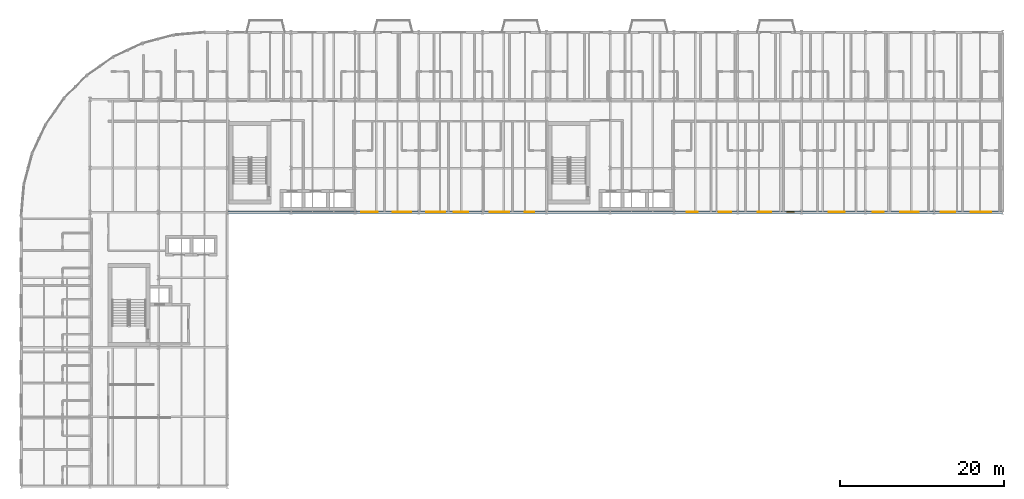
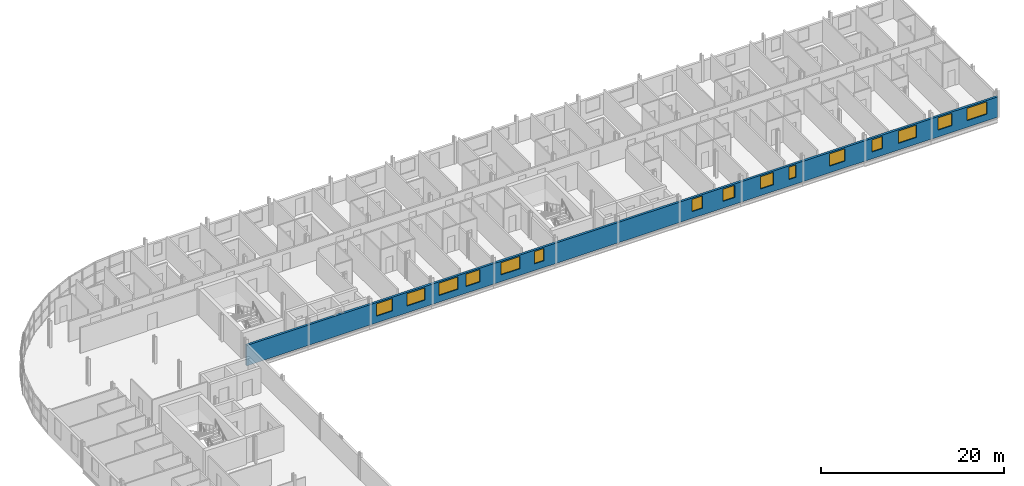
# One storey, part 24 of 34: 15 windows, 1 wall, 15 openings.
"""IFC4 building model written with IfcOpenShell, lengths in metres."""

from ifc_helpers import new_model, si_unit, direction, frame, frame_2d, origin, place, context, subcontext, project, spatial, rectangle, extrude, material, layer, layer_set, type_object, element, fill, save


model = new_model("IFC4")

# Units and contexts
model_context = context("Model", 3, precision=1e-05, world=origin(), true_north=direction((0.0, 1.0)))
body_context = subcontext(model_context, "Body", "Model", "MODEL_VIEW")
ifc_project = project(units=[si_unit("LENGTHUNIT", "METRE"), si_unit("AREAUNIT", "SQUARE_METRE"), si_unit("VOLUMEUNIT", "CUBIC_METRE"), si_unit("PLANEANGLEUNIT", "RADIAN"), si_unit("MASSUNIT", "GRAM", prefix="KILO")], contexts=[model_context])

# Site, building, storey
site_placement = place(None, origin())
site = spatial("IfcSite", under=ifc_project, at=site_placement, CompositionType="ELEMENT")
building_placement = place(site_placement, origin())
building = spatial("IfcBuilding", under=site, at=building_placement, Name="Sefraquen Railside Congress Hotel", CompositionType="ELEMENT")
storey_placement = place(building_placement, frame((0.0, 0.0, 31.800048828125)))
storey = spatial("IfcBuildingStorey", under=building, at=storey_placement, Name="L07", CompositionType="ELEMENT", Elevation=31.800048828125)

# Wall, openings, windows
ifc_material_1 = material(Name="Ochre Rabat calcarenite limestone and Concrete C40/50 backing", Category="masonry")
ifc_layer = layer(ifc_material_1, 0.280029296875)
ifc_layer_set = layer_set([ifc_layer], Name="Ochre Rabat calcarenite limestone and Concrete C40/50 backing")
wall_type = type_object("IfcWallType", Name="TW-EW-280", PredefinedType="STANDARD", material=ifc_layer_set)
wall_placement = place(storey_placement, frame((25.199951171875, 96.0, 0.0), z_axis=(0.0, 0.0, 1.0), x_axis=(1.0, 0.0, 0.0)))
wall = element("IfcWall", 1, at=wall_placement, inside=storey, type_object=wall_type, Name="Hotel L07 south courtyard facade wall", PredefinedType="STANDARD", context=body_context, shape_type="SweptSolid", body=[
    extrude(rectangle(XDim=94.800048828125, YDim=0.280029296875, at=frame_2d((47.39990234375, 0.0))), origin(), (0.0, 0.0, 1.0), 2.719970703125),
])
opening_1_placement = place(wall_placement, frame((16.39404296875, 0.0, 0.89990234375)))
opening_1 = element("IfcOpeningElement", 2, at=opening_1_placement, cuts=wall, Name="Opening WN-26", PredefinedType="OPENING", context=body_context, shape_type="SweptSolid", body=[
    extrude(rectangle(XDim=2.0, YDim=1.639892578125, at=frame_2d((1.0, 0.81982421875))), frame((0.0, 0.14990234375, 0.0), z_axis=(0.0, -1.0, 0.0), x_axis=(1.0, 0.0, 0.0)), (0.0, 0.0, 1.0), 0.300048828125),
])
opening_2_placement = place(wall_placement, frame((20.20703125, 0.0, 0.89990234375)))
opening_2 = element("IfcOpeningElement", 3, at=opening_2_placement, cuts=wall, Name="Opening WN-27", PredefinedType="OPENING", context=body_context, shape_type="SweptSolid", body=[
    extrude(rectangle(XDim=2.300048828125, YDim=1.639892578125, at=frame_2d((1.14990234375, 0.81982421875))), frame((0.0, 0.14990234375, 0.0), z_axis=(0.0, -1.0, 0.0), x_axis=(1.0, 0.0, 0.0)), (0.0, 0.0, 1.0), 0.300048828125),
])
opening_3_placement = place(wall_placement, frame((24.287109375, 0.0, 0.89990234375)))
opening_3 = element("IfcOpeningElement", 4, at=opening_3_placement, cuts=wall, Name="Opening WN-28", PredefinedType="OPENING", context=body_context, shape_type="SweptSolid", body=[
    extrude(rectangle(XDim=2.35791015625, YDim=1.639892578125, at=frame_2d((1.178955078125, 0.81982421875))), frame((0.0, 0.14990234375, 0.0), z_axis=(0.0, -1.0, 0.0), x_axis=(1.0, 0.0, 0.0)), (0.0, 0.0, 1.0), 0.300048828125),
])
opening_4_placement = place(wall_placement, frame((27.6650390625, 0.0, 0.89990234375)))
opening_4 = element("IfcOpeningElement", 5, at=opening_4_placement, cuts=wall, Name="Opening WN-29", PredefinedType="OPENING", context=body_context, shape_type="SweptSolid", body=[
    extrude(rectangle(XDim=1.800048828125, YDim=1.639892578125, at=frame_2d((0.89990234375, 0.81982421875))), frame((0.0, 0.14990234375, 0.0), z_axis=(0.0, -1.0, 0.0), x_axis=(1.0, 0.0, 0.0)), (0.0, 0.0, 1.0), 0.300048828125),
])
opening_5_placement = place(wall_placement, frame((32.10302734375, 0.0, 0.89990234375)))
opening_5 = element("IfcOpeningElement", 6, at=opening_5_placement, cuts=wall, Name="Opening WN-30", PredefinedType="OPENING", context=body_context, shape_type="SweptSolid", body=[
    extrude(rectangle(XDim=2.35888671875, YDim=1.639892578125, at=frame_2d((1.179443359375, 0.81982421875))), frame((0.0, 0.14990234375, 0.0), z_axis=(0.0, -1.0, 0.0), x_axis=(1.0, 0.0, 0.0)), (0.0, 0.0, 1.0), 0.300048828125),
])
opening_6_placement = place(wall_placement, frame((36.3359375, 0.0, 0.89990234375)))
opening_6 = element("IfcOpeningElement", 7, at=opening_6_placement, cuts=wall, Name="Opening WN-01", PredefinedType="OPENING", context=body_context, shape_type="SweptSolid", body=[
    extrude(rectangle(XDim=1.199951171875, YDim=1.639892578125, at=frame_2d((0.60009765625, 0.81982421875))), frame((0.0, 0.14990234375, 0.0), z_axis=(0.0, -1.0, 0.0), x_axis=(1.0, 0.0, 0.0)), (0.0, 0.0, 1.0), 0.300048828125),
])
opening_7_placement = place(wall_placement, frame((56.177001953125, 0.0, 0.89990234375)))
opening_7 = element("IfcOpeningElement", 8, at=opening_7_placement, cuts=wall, Name="Opening WN-02", PredefinedType="OPENING", context=body_context, shape_type="SweptSolid", body=[
    extrude(rectangle(XDim=1.35009765625, YDim=1.639892578125, at=frame_2d((0.675048828125, 0.81982421875))), frame((0.0, 0.14990234375, 0.0), z_axis=(0.0, -1.0, 0.0), x_axis=(1.0, 0.0, 0.0)), (0.0, 0.0, 1.0), 0.300048828125),
])
opening_8_placement = place(wall_placement, frame((60.0859375, 0.0, 0.89990234375)))
opening_8 = element("IfcOpeningElement", 9, at=opening_8_placement, cuts=wall, Name="Opening WN-03", PredefinedType="OPENING", context=body_context, shape_type="SweptSolid", body=[
    extrude(rectangle(XDim=1.5, YDim=1.639892578125, at=frame_2d((0.75, 0.81982421875))), frame((0.0, 0.14990234375, 0.0), z_axis=(0.0, -1.0, 0.0), x_axis=(1.0, 0.0, 0.0)), (0.0, 0.0, 1.0), 0.300048828125),
])
opening_9_placement = place(wall_placement, frame((64.837890625, 0.0, 0.89990234375)))
opening_9 = element("IfcOpeningElement", 10, at=opening_9_placement, cuts=wall, Name="Opening WN-04", PredefinedType="OPENING", context=body_context, shape_type="SweptSolid", body=[
    extrude(rectangle(XDim=1.64990234375, YDim=1.639892578125, at=frame_2d((0.824951171875, 0.81982421875))), frame((0.0, 0.14990234375, 0.0), z_axis=(0.0, -1.0, 0.0), x_axis=(1.0, 0.0, 0.0)), (0.0, 0.0, 1.0), 0.300048828125),
])
opening_10_placement = place(wall_placement, frame((68.4189453125, 0.0, 0.89990234375)))
opening_10 = element("IfcOpeningElement", 11, at=opening_10_placement, cuts=wall, Name="Opening WN-05", PredefinedType="OPENING", context=body_context, shape_type="SweptSolid", body=[
    extrude(rectangle(XDim=0.89990234375, YDim=1.639892578125, at=frame_2d((0.449951171875, 0.81982421875))), frame((0.0, 0.14990234375, 0.0), z_axis=(0.0, -1.0, 0.0), x_axis=(1.0, 0.0, 0.0)), (0.0, 0.0, 1.0), 0.300048828125),
])
opening_11_placement = place(wall_placement, frame((73.5439453125, 0.0, 0.89990234375)))
opening_11 = element("IfcOpeningElement", 12, at=opening_11_placement, cuts=wall, Name="Opening WN-06", PredefinedType="OPENING", context=body_context, shape_type="SweptSolid", body=[
    extrude(rectangle(XDim=1.949951171875, YDim=1.639892578125, at=frame_2d((0.97509765625, 0.81982421875))), frame((0.0, 0.14990234375, 0.0), z_axis=(0.0, -1.0, 0.0), x_axis=(1.0, 0.0, 0.0)), (0.0, 0.0, 1.0), 0.300048828125),
])
opening_12_placement = place(wall_placement, frame((78.89697265625, 0.0, 0.89990234375)))
opening_12 = element("IfcOpeningElement", 13, at=opening_12_placement, cuts=wall, Name="Opening WN-07", PredefinedType="OPENING", context=body_context, shape_type="SweptSolid", body=[
    extrude(rectangle(XDim=1.35009765625, YDim=1.639892578125, at=frame_2d((0.675048828125, 0.81982421875))), frame((0.0, 0.14990234375, 0.0), z_axis=(0.0, -1.0, 0.0), x_axis=(1.0, 0.0, 0.0)), (0.0, 0.0, 1.0), 0.300048828125),
])
opening_13_placement = place(wall_placement, frame((82.2490234375, 0.0, 0.89990234375)))
opening_13 = element("IfcOpeningElement", 14, at=opening_13_placement, cuts=wall, Name="Opening WN-08", PredefinedType="OPENING", context=body_context, shape_type="SweptSolid", body=[
    extrude(rectangle(XDim=2.25, YDim=1.639892578125, at=frame_2d((1.125, 0.81982421875))), frame((0.0, 0.14990234375, 0.0), z_axis=(0.0, -1.0, 0.0), x_axis=(1.0, 0.0, 0.0)), (0.0, 0.0, 1.0), 0.300048828125),
])
opening_14_placement = place(wall_placement, frame((87.201904296875, 0.0, 0.89990234375)))
opening_14 = element("IfcOpeningElement", 15, at=opening_14_placement, cuts=wall, Name="Opening WN-09", PredefinedType="OPENING", context=body_context, shape_type="SweptSolid", body=[
    extrude(rectangle(XDim=1.800048828125, YDim=1.639892578125, at=frame_2d((0.89990234375, 0.81982421875))), frame((0.0, 0.14990234375, 0.0), z_axis=(0.0, -1.0, 0.0), x_axis=(1.0, 0.0, 0.0)), (0.0, 0.0, 1.0), 0.300048828125),
])
opening_15_placement = place(wall_placement, frame((90.866943359375, 0.0, 0.89990234375)))
opening_15 = element("IfcOpeningElement", 16, at=opening_15_placement, cuts=wall, Name="Opening WN-10", PredefinedType="OPENING", context=body_context, shape_type="SweptSolid", body=[
    extrude(rectangle(XDim=2.550048828125, YDim=1.639892578125, at=frame_2d((1.27490234375, 0.81982421875))), frame((0.0, 0.14990234375, 0.0), z_axis=(0.0, -1.0, 0.0), x_axis=(1.0, 0.0, 0.0)), (0.0, 0.0, 1.0), 0.300048828125),
])
ifc_material_2 = material(Name="Solar-control low-E double glazing in bronze-anodised frame", Category="glass")
window_type_1 = type_object("IfcWindowType", Name="TWN-W-01", PartitioningType="DOUBLE_PANEL_VERTICAL", PredefinedType="WINDOW", material=ifc_material_2)
window_1_placement = place(opening_6_placement, origin())
window_1 = element("IfcWindow", 17, at=window_1_placement, inside=storey, type_object=window_type_1, Name="Guest room courtyard window SP-L07-RM-027", OverallHeight=1.639892578125, OverallWidth=1.199951171875, PartitioningType="DOUBLE_PANEL_VERTICAL", PredefinedType="WINDOW", context=body_context, shape_type="SweptSolid", body=[
    extrude(rectangle(XDim=1.199951171875, YDim=1.639892578125, at=frame_2d((0.60009765625, 0.81982421875))), frame((0.0, 0.030029296875, 0.0), z_axis=(0.0, -1.0, 0.0), x_axis=(1.0, 0.0, 0.0)), (0.0, 0.0, 1.0), 0.06005859375),
])
fill(opening_6, window_1)
window_type_2 = type_object("IfcWindowType", Name="TWN-W-02", PartitioningType="DOUBLE_PANEL_VERTICAL", PredefinedType="WINDOW", material=ifc_material_2)
window_2_placement = place(opening_7_placement, origin())
window_2 = element("IfcWindow", 18, at=window_2_placement, inside=storey, type_object=window_type_2, Name="Guest room courtyard window SP-L07-RM-028", OverallHeight=1.639892578125, OverallWidth=1.35009765625, PartitioningType="DOUBLE_PANEL_VERTICAL", PredefinedType="WINDOW", context=body_context, shape_type="SweptSolid", body=[
    extrude(rectangle(XDim=1.35009765625, YDim=1.639892578125, at=frame_2d((0.675048828125, 0.81982421875))), frame((0.0, 0.030029296875, 0.0), z_axis=(0.0, -1.0, 0.0), x_axis=(1.0, 0.0, 0.0)), (0.0, 0.0, 1.0), 0.06005859375),
])
fill(opening_7, window_2)
window_type_3 = type_object("IfcWindowType", Name="TWN-W-03", PartitioningType="DOUBLE_PANEL_VERTICAL", PredefinedType="WINDOW", material=ifc_material_2)
window_3_placement = place(opening_8_placement, origin())
window_3 = element("IfcWindow", 19, at=window_3_placement, inside=storey, type_object=window_type_3, Name="Guest room courtyard window SP-L07-RM-029", OverallHeight=1.639892578125, OverallWidth=1.5, PartitioningType="DOUBLE_PANEL_VERTICAL", PredefinedType="WINDOW", context=body_context, shape_type="SweptSolid", body=[
    extrude(rectangle(XDim=1.5, YDim=1.639892578125, at=frame_2d((0.75, 0.81982421875))), frame((0.0, 0.030029296875, 0.0), z_axis=(0.0, -1.0, 0.0), x_axis=(1.0, 0.0, 0.0)), (0.0, 0.0, 1.0), 0.06005859375),
])
fill(opening_8, window_3)
window_type_4 = type_object("IfcWindowType", Name="TWN-W-04", PartitioningType="DOUBLE_PANEL_VERTICAL", PredefinedType="WINDOW", material=ifc_material_2)
window_4_placement = place(opening_9_placement, origin())
window_4 = element("IfcWindow", 20, at=window_4_placement, inside=storey, type_object=window_type_4, Name="Guest room courtyard window SP-L07-RM-030", OverallHeight=1.639892578125, OverallWidth=1.64990234375, PartitioningType="DOUBLE_PANEL_VERTICAL", PredefinedType="WINDOW", context=body_context, shape_type="SweptSolid", body=[
    extrude(rectangle(XDim=1.64990234375, YDim=1.639892578125, at=frame_2d((0.824951171875, 0.81982421875))), frame((0.0, 0.030029296875, 0.0), z_axis=(0.0, -1.0, 0.0), x_axis=(1.0, 0.0, 0.0)), (0.0, 0.0, 1.0), 0.06005859375),
])
fill(opening_9, window_4)
window_type_5 = type_object("IfcWindowType", Name="TWN-W-05", PartitioningType="DOUBLE_PANEL_VERTICAL", PredefinedType="WINDOW", material=ifc_material_2)
window_5_placement = place(opening_10_placement, origin())
window_5 = element("IfcWindow", 21, at=window_5_placement, inside=storey, type_object=window_type_5, Name="Guest room courtyard window SP-L07-RM-031", OverallHeight=1.639892578125, OverallWidth=0.89990234375, PartitioningType="DOUBLE_PANEL_VERTICAL", PredefinedType="WINDOW", context=body_context, shape_type="SweptSolid", body=[
    extrude(rectangle(XDim=0.89990234375, YDim=1.639892578125, at=frame_2d((0.449951171875, 0.81982421875))), frame((0.0, 0.030029296875, 0.0), z_axis=(0.0, -1.0, 0.0), x_axis=(1.0, 0.0, 0.0)), (0.0, 0.0, 1.0), 0.06005859375),
])
fill(opening_10, window_5)
window_type_6 = type_object("IfcWindowType", Name="TWN-W-06", PartitioningType="DOUBLE_PANEL_VERTICAL", PredefinedType="WINDOW", material=ifc_material_2)
window_6_placement = place(opening_11_placement, origin())
window_6 = element("IfcWindow", 22, at=window_6_placement, inside=storey, type_object=window_type_6, Name="Guest room courtyard window SP-L07-RM-032", OverallHeight=1.639892578125, OverallWidth=1.949951171875, PartitioningType="DOUBLE_PANEL_VERTICAL", PredefinedType="WINDOW", context=body_context, shape_type="SweptSolid", body=[
    extrude(rectangle(XDim=1.949951171875, YDim=1.639892578125, at=frame_2d((0.97509765625, 0.81982421875))), frame((0.0, 0.030029296875, 0.0), z_axis=(0.0, -1.0, 0.0), x_axis=(1.0, 0.0, 0.0)), (0.0, 0.0, 1.0), 0.06005859375),
])
fill(opening_11, window_6)
window_type_7 = type_object("IfcWindowType", Name="TWN-W-07", PartitioningType="DOUBLE_PANEL_VERTICAL", PredefinedType="WINDOW", material=ifc_material_2)
window_7_placement = place(opening_12_placement, origin())
window_7 = element("IfcWindow", 23, at=window_7_placement, inside=storey, type_object=window_type_7, Name="Guest room courtyard window SP-L07-RM-033", OverallHeight=1.639892578125, OverallWidth=1.35009765625, PartitioningType="DOUBLE_PANEL_VERTICAL", PredefinedType="WINDOW", context=body_context, shape_type="SweptSolid", body=[
    extrude(rectangle(XDim=1.35009765625, YDim=1.639892578125, at=frame_2d((0.675048828125, 0.81982421875))), frame((0.0, 0.030029296875, 0.0), z_axis=(0.0, -1.0, 0.0), x_axis=(1.0, 0.0, 0.0)), (0.0, 0.0, 1.0), 0.06005859375),
])
fill(opening_12, window_7)
window_type_8 = type_object("IfcWindowType", Name="TWN-W-08", PartitioningType="DOUBLE_PANEL_VERTICAL", PredefinedType="WINDOW", material=ifc_material_2)
window_8_placement = place(opening_13_placement, origin())
window_8 = element("IfcWindow", 24, at=window_8_placement, inside=storey, type_object=window_type_8, Name="Guest room courtyard window SP-L07-RM-034", OverallHeight=1.639892578125, OverallWidth=2.25, PartitioningType="DOUBLE_PANEL_VERTICAL", PredefinedType="WINDOW", context=body_context, shape_type="SweptSolid", body=[
    extrude(rectangle(XDim=2.25, YDim=1.639892578125, at=frame_2d((1.125, 0.81982421875))), frame((0.0, 0.030029296875, 0.0), z_axis=(0.0, -1.0, 0.0), x_axis=(1.0, 0.0, 0.0)), (0.0, 0.0, 1.0), 0.06005859375),
])
fill(opening_13, window_8)
window_type_9 = type_object("IfcWindowType", Name="TWN-W-09", PartitioningType="DOUBLE_PANEL_VERTICAL", PredefinedType="WINDOW", material=ifc_material_2)
window_9_placement = place(opening_14_placement, origin())
window_9 = element("IfcWindow", 25, at=window_9_placement, inside=storey, type_object=window_type_9, Name="Guest room courtyard window SP-L07-RM-035", OverallHeight=1.639892578125, OverallWidth=1.800048828125, PartitioningType="DOUBLE_PANEL_VERTICAL", PredefinedType="WINDOW", context=body_context, shape_type="SweptSolid", body=[
    extrude(rectangle(XDim=1.800048828125, YDim=1.639892578125, at=frame_2d((0.89990234375, 0.81982421875))), frame((0.0, 0.030029296875, 0.0), z_axis=(0.0, -1.0, 0.0), x_axis=(1.0, 0.0, 0.0)), (0.0, 0.0, 1.0), 0.06005859375),
])
fill(opening_14, window_9)
window_type_10 = type_object("IfcWindowType", Name="TWN-W-10", PartitioningType="DOUBLE_PANEL_VERTICAL", PredefinedType="WINDOW", material=ifc_material_2)
window_10_placement = place(opening_15_placement, origin())
window_10 = element("IfcWindow", 26, at=window_10_placement, inside=storey, type_object=window_type_10, Name="Guest room courtyard window SP-L07-RM-036", OverallHeight=1.639892578125, OverallWidth=2.550048828125, PartitioningType="DOUBLE_PANEL_VERTICAL", PredefinedType="WINDOW", context=body_context, shape_type="SweptSolid", body=[
    extrude(rectangle(XDim=2.550048828125, YDim=1.639892578125, at=frame_2d((1.27490234375, 0.81982421875))), frame((0.0, 0.030029296875, 0.0), z_axis=(0.0, -1.0, 0.0), x_axis=(1.0, 0.0, 0.0)), (0.0, 0.0, 1.0), 0.06005859375),
])
fill(opening_15, window_10)
window_type_11 = type_object("IfcWindowType", Name="TWN-W-26", PartitioningType="DOUBLE_PANEL_VERTICAL", PredefinedType="WINDOW", material=ifc_material_2)
window_11_placement = place(opening_1_placement, origin())
window_11 = element("IfcWindow", 27, at=window_11_placement, inside=storey, type_object=window_type_11, Name="Guest room courtyard window SP-L07-RM-022", OverallHeight=1.639892578125, OverallWidth=2.0, PartitioningType="DOUBLE_PANEL_VERTICAL", PredefinedType="WINDOW", context=body_context, shape_type="SweptSolid", body=[
    extrude(rectangle(XDim=2.0, YDim=1.639892578125, at=frame_2d((1.0, 0.81982421875))), frame((0.0, 0.030029296875, 0.0), z_axis=(0.0, -1.0, 0.0), x_axis=(1.0, 0.0, 0.0)), (0.0, 0.0, 1.0), 0.06005859375),
])
fill(opening_1, window_11)
window_type_12 = type_object("IfcWindowType", Name="TWN-W-27", PartitioningType="DOUBLE_PANEL_VERTICAL", PredefinedType="WINDOW", material=ifc_material_2)
window_12_placement = place(opening_2_placement, origin())
window_12 = element("IfcWindow", 28, at=window_12_placement, inside=storey, type_object=window_type_12, Name="Guest room courtyard window SP-L07-RM-023", OverallHeight=1.639892578125, OverallWidth=2.300048828125, PartitioningType="DOUBLE_PANEL_VERTICAL", PredefinedType="WINDOW", context=body_context, shape_type="SweptSolid", body=[
    extrude(rectangle(XDim=2.300048828125, YDim=1.639892578125, at=frame_2d((1.14990234375, 0.81982421875))), frame((0.0, 0.030029296875, 0.0), z_axis=(0.0, -1.0, 0.0), x_axis=(1.0, 0.0, 0.0)), (0.0, 0.0, 1.0), 0.06005859375),
])
fill(opening_2, window_12)
window_type_13 = type_object("IfcWindowType", Name="TWN-W-28", PartitioningType="DOUBLE_PANEL_VERTICAL", PredefinedType="WINDOW", material=ifc_material_2)
window_13_placement = place(opening_3_placement, origin())
window_13 = element("IfcWindow", 29, at=window_13_placement, inside=storey, type_object=window_type_13, Name="Guest room courtyard window SP-L07-RM-024", OverallHeight=1.639892578125, OverallWidth=2.35791015625, PartitioningType="DOUBLE_PANEL_VERTICAL", PredefinedType="WINDOW", context=body_context, shape_type="SweptSolid", body=[
    extrude(rectangle(XDim=2.35791015625, YDim=1.639892578125, at=frame_2d((1.178955078125, 0.81982421875))), frame((0.0, 0.030029296875, 0.0), z_axis=(0.0, -1.0, 0.0), x_axis=(1.0, 0.0, 0.0)), (0.0, 0.0, 1.0), 0.06005859375),
])
fill(opening_3, window_13)
window_type_14 = type_object("IfcWindowType", Name="TWN-W-29", PartitioningType="DOUBLE_PANEL_VERTICAL", PredefinedType="WINDOW", material=ifc_material_2)
window_14_placement = place(opening_4_placement, origin())
window_14 = element("IfcWindow", 30, at=window_14_placement, inside=storey, type_object=window_type_14, Name="Guest room courtyard window SP-L07-RM-025", OverallHeight=1.639892578125, OverallWidth=1.800048828125, PartitioningType="DOUBLE_PANEL_VERTICAL", PredefinedType="WINDOW", context=body_context, shape_type="SweptSolid", body=[
    extrude(rectangle(XDim=1.800048828125, YDim=1.639892578125, at=frame_2d((0.89990234375, 0.81982421875))), frame((0.0, 0.030029296875, 0.0), z_axis=(0.0, -1.0, 0.0), x_axis=(1.0, 0.0, 0.0)), (0.0, 0.0, 1.0), 0.06005859375),
])
fill(opening_4, window_14)
window_type_15 = type_object("IfcWindowType", Name="TWN-W-30", PartitioningType="DOUBLE_PANEL_VERTICAL", PredefinedType="WINDOW", material=ifc_material_2)
window_15_placement = place(opening_5_placement, origin())
window_15 = element("IfcWindow", 31, at=window_15_placement, inside=storey, type_object=window_type_15, Name="Guest room courtyard window SP-L07-RM-026", OverallHeight=1.639892578125, OverallWidth=2.35888671875, PartitioningType="DOUBLE_PANEL_VERTICAL", PredefinedType="WINDOW", context=body_context, shape_type="SweptSolid", body=[
    extrude(rectangle(XDim=2.35888671875, YDim=1.639892578125, at=frame_2d((1.179443359375, 0.81982421875))), frame((0.0, 0.030029296875, 0.0), z_axis=(0.0, -1.0, 0.0), x_axis=(1.0, 0.0, 0.0)), (0.0, 0.0, 1.0), 0.06005859375),
])
fill(opening_5, window_15)

save(model, "model.ifc")
